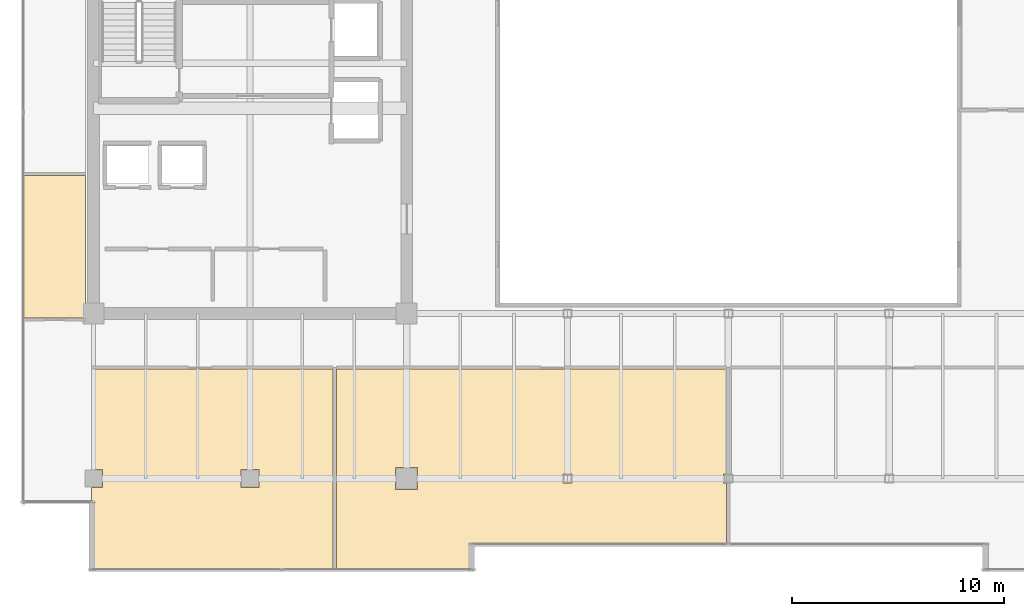
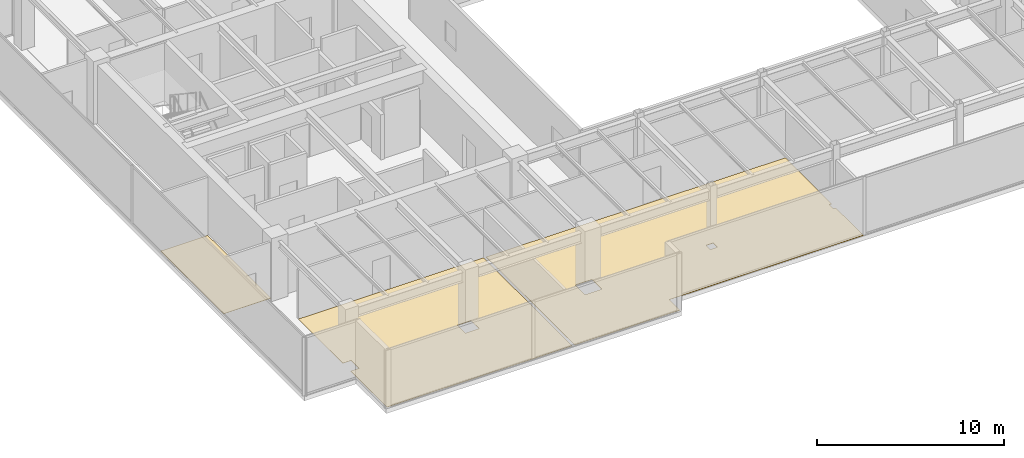
# One storey, part 32 of 36: 3 coverings.
"""IFC4 building model written with IfcOpenShell, lengths in metres."""

from ifc_helpers import new_model, si_unit, direction, frame, origin, place, context, subcontext, project, spatial, polyline, outline, extrude, material, layer, layer_set, type_object, element, save


model = new_model("IFC4")

# Units and contexts
model_context = context("Model", 3, precision=1e-05, world=origin(), true_north=direction((0.0, 1.0)))
body_context = subcontext(model_context, "Body", "Model", "MODEL_VIEW")
ifc_project = project(units=[si_unit("LENGTHUNIT", "METRE"), si_unit("AREAUNIT", "SQUARE_METRE"), si_unit("VOLUMEUNIT", "CUBIC_METRE"), si_unit("PLANEANGLEUNIT", "RADIAN"), si_unit("MASSUNIT", "GRAM", prefix="KILO")], contexts=[model_context])

# Site, building, storey
site_placement = place(None, origin())
site = spatial("IfcSite", under=ifc_project, at=site_placement, CompositionType="ELEMENT")
building_placement = place(site_placement, origin())
building = spatial("IfcBuilding", under=site, at=building_placement, Name="Haelvirn Gate Laboratories", CompositionType="ELEMENT")
storey_placement = place(building_placement, frame((0.0, 0.0, 254.699951171875)))
storey = spatial("IfcBuildingStorey", under=building, at=storey_placement, Name="L61", CompositionType="ELEMENT", Elevation=254.699951171875)

# Coverings
ifc_material = material(Name="Seamless chemical-resistant epoxy laboratory flooring")
ifc_layer = layer(ifc_material, 0.01806640625, Name="COV-FLR-RESIN")
ifc_layer_set = layer_set([ifc_layer], Name="Seamless chemical-resistant epoxy laboratory flooring")
covering_type = type_object("IfcCoveringType", Name="COV-FLR-RESIN", PredefinedType="FLOORING", material=ifc_layer_set)
covering_1_placement = place(storey_placement, origin())
element("IfcCovering", 1, at=covering_1_placement, inside=storey, type_object=covering_type, Name="L61 Seamless Laboratory Flooring FLR-SP-L61-S-01", PredefinedType="FLOORING", context=body_context, shape_type="SweptSolid", body=[
    extrude(outline(polyline([(18.719970703125, 2.7099609375), (7.31005859375, 2.7099609375), (7.31005859375, 6.580078125), (7.820068359375, 6.580078125), (7.820068359375, 7.419921875), (7.31005859375, 7.419921875), (7.31005859375, 12.169921875), (18.719970703125, 12.169921875), (18.719970703125, 2.7099609375)]), holes=[polyline([(14.3798828125, 6.580078125), (15.219970703125, 6.580078125), (15.219970703125, 7.419921875), (14.3798828125, 7.419921875), (14.3798828125, 6.580078125)])]), origin(), (0.0, 0.0, 1.0), 0.01806640625),
])
covering_2_placement = place(storey_placement, origin())
element("IfcCovering", 2, at=covering_2_placement, inside=storey, type_object=covering_type, Name="L61 Seamless Laboratory Flooring FLR-SP-L61-S-02", PredefinedType="FLOORING", context=body_context, shape_type="SweptSolid", body=[
    extrude(outline(polyline([(37.179931640625, 7.219970703125), (37.179931640625, 6.780029296875), (37.320068359375, 6.780029296875), (37.320068359375, 3.840087890625), (25.39990234375, 3.840087890625), (25.39599609375, 3.83984375), (25.39208984375, 3.839111328125), (25.388427734375, 3.83837890625), (25.384765625, 3.8369140625), (25.381103515625, 3.835205078125), (25.377685546875, 3.833251953125), (25.37451171875, 3.830810546875), (25.37158203125, 3.828369140625), (25.369140625, 3.825439453125), (25.36669921875, 3.822265625), (25.36474609375, 3.81884765625), (25.363037109375, 3.815185546875), (25.36181640625, 3.8115234375), (25.36083984375, 3.807861328125), (25.360107421875, 3.803955078125), (25.360107421875, 3.800048828125), (25.360107421875, 2.7099609375), (18.8798828125, 2.7099609375), (18.8798828125, 12.169921875), (37.320068359375, 12.169921875), (37.320068359375, 7.219970703125), (37.179931640625, 7.219970703125)]), holes=[polyline([(22.719970703125, 6.47998046875), (22.719970703125, 7.52001953125), (21.679931640625, 7.52001953125), (21.679931640625, 6.47998046875), (22.719970703125, 6.47998046875)]), polyline([(29.580078125, 6.780029296875), (30.02001953125, 6.780029296875), (30.02001953125, 7.219970703125), (29.580078125, 7.219970703125), (29.580078125, 6.780029296875)])]), origin(), (0.0, 0.0, 1.0), 0.01806640625),
])
covering_3_placement = place(storey_placement, origin())
element("IfcCovering", 3, at=covering_3_placement, inside=storey, type_object=covering_type, Name="L61 Seamless Laboratory Flooring FLR-SP-L61-WZ3-S", PredefinedType="FLOORING", context=body_context, shape_type="SweptSolid", body=[
    extrude(outline(polyline([(4.110107421875, 21.330078125), (7.02001953125, 21.330078125), (7.02001953125, 14.5849609375), (4.110107421875, 14.5849609375), (4.110107421875, 21.330078125)])), origin(), (0.0, 0.0, 1.0), 0.01806640625),
])

save(model, "model.ifc")
